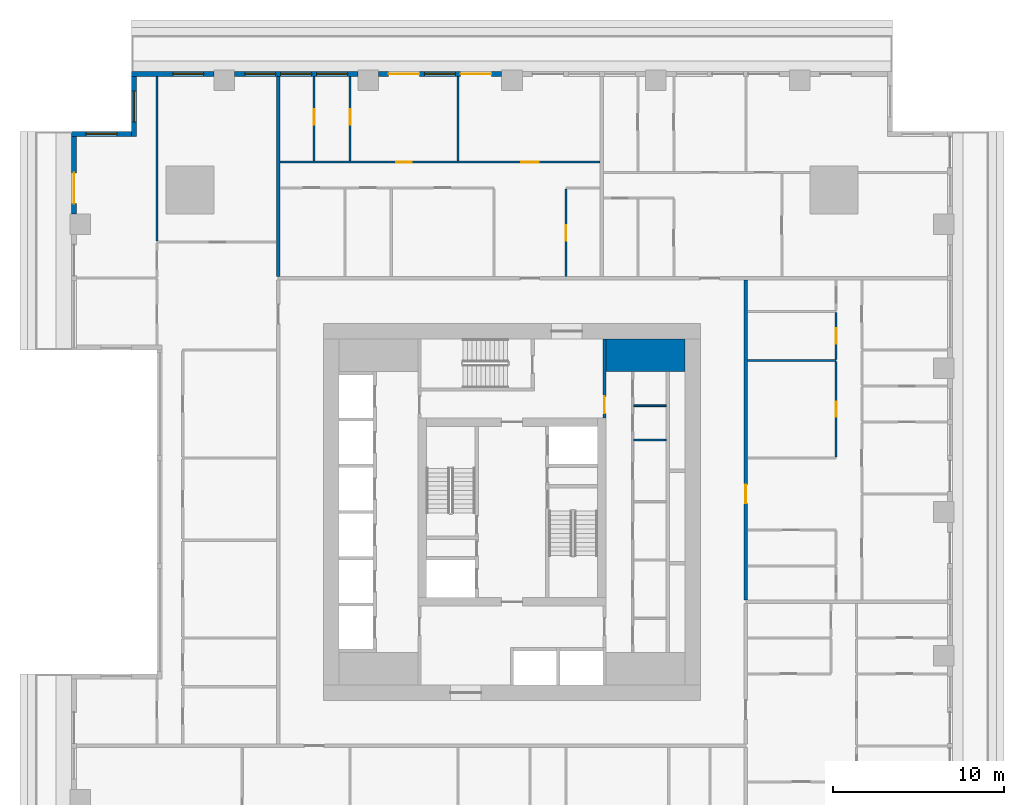
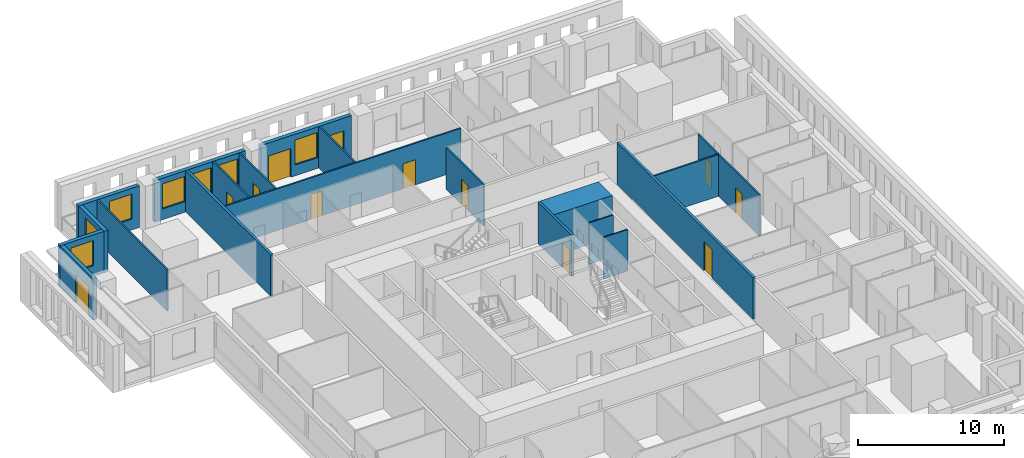
# One storey, part 7 of 14: 21 walls, 12 doors, 7 windows, 19 openings.
"""IFC4 building model written with IfcOpenShell, lengths in metres."""

from ifc_helpers import new_model, si_unit, direction, frame, frame_2d, origin, place, context, subcontext, project, spatial, rectangle, extrude, material, layer, layer_set, type_object, element, fill, save


model = new_model("IFC4")

# Units and contexts
model_context = context("Model", 3, precision=1e-05, world=origin(), true_north=direction((0.0, 1.0)))
body_context = subcontext(model_context, "Body", "Model", "MODEL_VIEW")
ifc_project = project(units=[si_unit("LENGTHUNIT", "METRE"), si_unit("AREAUNIT", "SQUARE_METRE"), si_unit("VOLUMEUNIT", "CUBIC_METRE"), si_unit("PLANEANGLEUNIT", "RADIAN"), si_unit("MASSUNIT", "GRAM", prefix="KILO")], contexts=[model_context])

# Site, building, storey
site_placement = place(None, origin())
site = spatial("IfcSite", under=ifc_project, at=site_placement, CompositionType="ELEMENT")
building_placement = place(site_placement, origin())
building = spatial("IfcBuilding", under=site, at=building_placement, Name="Khepri Terraces", CompositionType="ELEMENT")
storey_placement = place(building_placement, frame((0.0, 0.0, 106.5)))
storey = spatial("IfcBuildingStorey", under=building, at=storey_placement, Name="L25", CompositionType="ELEMENT", Elevation=106.5)

# Walls
ifc_material_1 = material(Name="Concrete C70/85", Category="concrete")
ifc_layer_1 = layer(ifc_material_1, 1.89990234375, Name="Concrete C70/85", Category="concrete")
ifc_layer_set_1 = layer_set([ifc_layer_1], Name="Concrete C70/85")
wall_type_1 = type_object("IfcWallType", Name="Core wall 1900 C70/85", PredefinedType="SHEAR", material=ifc_layer_set_1)
wall_1_placement = place(storey_placement, frame((5.5, 9.14990234375, 0.0), z_axis=(0.0, 0.0, 1.0), x_axis=(1.0, 0.0, 0.0)))
element("IfcWall", 1, at=wall_1_placement, inside=storey, type_object=wall_type_1, Name="Core wall PR04 L25", PredefinedType="SHEAR", context=body_context, shape_type="SweptSolid", body=[
    extrude(rectangle(XDim=4.60009765625, YDim=1.89990234375, at=frame_2d((2.300048828125, 0.0))), origin(), (0.0, 0.0, 1.0), 3.47998046875),
])
ifc_material_2 = material(Name="Fire-rated gypsum board partition")
ifc_layer_2 = layer(ifc_material_2, 0.10009765625, Name="Fire-rated gypsum board partition")
ifc_layer_set_2 = layer_set([ifc_layer_2], Name="Fire-rated gypsum board partition")
wall_type_2 = type_object("IfcWallType", Name="WL-CORE-PART-100", PredefinedType="PARTITIONING", material=ifc_layer_set_2)
for number, where, z_axis, x_axis, name in (
    (2, (7.10009765625, 4.199951171875, 0.0), (0.0, 0.0, 1.0), (1.0, 0.0, 0.0), "Core partition PT07 L25"),
    (3, (7.10009765625, 6.199951171875, 0.0), (0.0, 0.0, 1.0), (1.0, 0.0, 0.0), "Core partition PT10 L25"),
):
    element("IfcWall", number, at=place(storey_placement, frame(where, z_axis=z_axis, x_axis=x_axis)), inside=storey, type_object=wall_type_2, Name=name, PredefinedType="PARTITIONING", context=body_context, shape_type="SweptSolid", body=[
        extrude(rectangle(XDim=1.89990234375, YDim=0.10009765625, at=frame_2d((0.949951171875, 0.0))), origin(), (0.0, 0.0, 1.0), 3.47998046875),
    ])

# Wall, opening, door
ifc_layer_3 = layer(ifc_material_2, 0.199951171875, Name="Fire-rated gypsum board partition")
ifc_layer_set_3 = layer_set([ifc_layer_3], Name="Fire-rated gypsum board partition")
wall_type_3 = type_object("IfcWallType", Name="WL-CORE-PART-200", PredefinedType="PARTITIONING", material=ifc_layer_set_3)
wall_2_placement = place(storey_placement, frame((5.39990234375, 5.5, 0.0), z_axis=(0.0, 0.0, 1.0), x_axis=(0.0, 1.0, 0.0)))
wall_2 = element("IfcWall", 4, at=wall_2_placement, inside=storey, type_object=wall_type_3, Name="Core partition PT09 L25", PredefinedType="PARTITIONING", context=body_context, shape_type="SweptSolid", body=[
    extrude(rectangle(XDim=4.60009765625, YDim=0.199951171875, at=frame_2d((2.300048828125, 0.0))), origin(), (0.0, 0.0, 1.0), 3.47998046875),
])
opening_1_placement = place(wall_2_placement, frame((0.25, 0.0, 0.0)))
opening_1 = element("IfcOpeningElement", 5, at=opening_1_placement, cuts=wall_2, Name="Opening L25-C17", PredefinedType="OPENING", context=body_context, shape_type="SweptSolid", body=[
    extrude(rectangle(XDim=1.0, YDim=2.10009765625, at=frame_2d((0.5, 1.050048828125))), frame((0.0, 0.10986328125, 0.0), z_axis=(0.0, -1.0, 0.0), x_axis=(1.0, 0.0, 0.0)), (0.0, 0.0, 1.0), 0.219970703125),
])
ifc_material_3 = material(Name="Painted steel", Category="steel")
door_type_1 = type_object("IfcDoorType", Name="DR-CORE-LOBBY-1000", OperationType="NOTDEFINED", PredefinedType="DOOR", material=ifc_material_3)
door_1_placement = place(opening_1_placement, origin())
door_1 = element("IfcDoor", 6, at=door_1_placement, inside=storey, type_object=door_type_1, Name="Lobby door L25-C17", OperationType="SINGLE_SWING_LEFT", OverallHeight=2.10009765625, OverallWidth=1.0, PredefinedType="DOOR", context=body_context, shape_type="SweptSolid", body=[
    extrude(rectangle(XDim=1.0, YDim=2.10009765625, at=frame_2d((0.5, 1.050048828125))), frame((0.0, 0.02490234375, 0.0), z_axis=(0.0, -1.0, 0.0), x_axis=(1.0, 0.0, 0.0)), (0.0, 0.0, 1.0), 0.050048828125),
])
fill(opening_1, door_1)

ifc_material_4 = material(Name="Fire-rated gypsum plasterboard partition, mineral wool")
ifc_layer_4 = layer(ifc_material_4, 0.199951171875, Name="Fire-rated gypsum plasterboard partition, mineral wool")
ifc_layer_set_4 = layer_set([ifc_layer_4], Name="Fire-rated gypsum plasterboard partition, mineral wool")
wall_type_4 = type_object("IfcWallType", Name="WL-CORR-200", PredefinedType="PARTITIONING", material=ifc_layer_set_4)
wall_3_placement = place(storey_placement, frame((13.64990234375, -5.14990234375, 0.0), z_axis=(0.0, 0.0, 1.0), x_axis=(0.0, 1.0, 0.0)))
wall_3 = element("IfcWall", 7, at=wall_3_placement, inside=storey, type_object=wall_type_4, Name="Partition P-041 L25", PredefinedType="PARTITIONING", context=body_context, shape_type="SweptSolid", body=[
    extrude(rectangle(XDim=18.699951171875, YDim=0.199951171875, at=frame_2d((9.35009765625, 0.0))), origin(), (0.0, 0.0, 1.0), 3.47998046875),
])
opening_2_placement = place(wall_3_placement, frame((5.64990234375, 0.0, 0.0)))
opening_2 = element("IfcOpeningElement", 8, at=opening_2_placement, cuts=wall_3, Name="Opening D1", PredefinedType="OPENING", context=body_context, shape_type="SweptSolid", body=[
    extrude(rectangle(XDim=1.10009765625, YDim=2.39990234375, at=frame_2d((0.550048828125, 1.199951171875))), frame((0.0, 0.10986328125, 0.0), z_axis=(0.0, -1.0, 0.0), x_axis=(1.0, 0.0, 0.0)), (0.0, 0.0, 1.0), 0.219970703125),
])
ifc_material_5 = material(Name="Solid-core timber door leaf, flat entrance door", Category="wood")
door_type_2 = type_object("IfcDoorType", Name="DR-ENT-1100", OperationType="NOTDEFINED", PredefinedType="DOOR", material=ifc_material_5)
door_2_placement = place(opening_2_placement, frame((1.10009765625, 0.0, 0.0), z_axis=(0.0, 0.0, 1.0), x_axis=(-1.0, 0.0, 0.0)))
door_2 = element("IfcDoor", 9, at=door_2_placement, inside=storey, type_object=door_type_2, Name="Flat B2 entrance door", OperationType="SINGLE_SWING_RIGHT", OverallHeight=2.39990234375, OverallWidth=1.10009765625, PredefinedType="DOOR", context=body_context, shape_type="SweptSolid", body=[
    extrude(rectangle(XDim=1.10009765625, YDim=2.39990234375, at=frame_2d((0.550048828125, 1.199951171875))), frame((0.0, 0.02490234375, 0.0), z_axis=(0.0, -1.0, 0.0), x_axis=(1.0, 0.0, 0.0)), (0.0, 0.0, 1.0), 0.050048828125),
])
fill(opening_2, door_2)

# Wall
wall_4_placement = place(storey_placement, frame((-13.64990234375, 13.75, 0.0), z_axis=(0.0, 0.0, 1.0), x_axis=(0.0, 1.0, 0.0)))
element("IfcWall", 10, at=wall_4_placement, inside=storey, type_object=wall_type_4, Name="Partition P-070 L25", PredefinedType="PARTITIONING", context=body_context, shape_type="SweptSolid", body=[
    extrude(rectangle(XDim=11.669921875, YDim=0.199951171875, at=frame_2d((5.8349609375, 0.0))), origin(), (0.0, 0.0, 1.0), 3.47998046875),
])

# Wall, openings, doors, window
ifc_material_6 = material(Name="Precast concrete C50/60 warm stone", Category="masonry")
ifc_layer_5 = layer(ifc_material_6, 0.300048828125, Name="Precast concrete C50/60 warm stone", Category="masonry")
ifc_layer_set_5 = layer_set([ifc_layer_5], Name="Precast concrete C50/60 warm stone")
wall_type_5 = type_object("IfcWallType", Name="WL-EXT-PRECAST-300", PredefinedType="STANDARD", material=ifc_layer_set_5)
wall_5_placement = place(storey_placement, frame((-0.60009765625, 25.570068359375, 0.0), z_axis=(0.0, 0.0, 1.0), x_axis=(-1.0, 0.0, 0.0)))
wall_5 = element("IfcWall", 11, at=wall_5_placement, inside=storey, type_object=wall_type_5, Name="External wall L25 N", PredefinedType="STANDARD", context=body_context, shape_type="SweptSolid", body=[
    extrude(rectangle(XDim=7.199951171875, YDim=0.300048828125, at=frame_2d((3.60009765625, 0.0))), origin(), (0.0, 0.0, 1.0), 3.47998046875),
])
opening_3_placement = place(wall_5_placement, frame((0.60009765625, 0.0, 0.0)))
opening_3 = element("IfcOpeningElement", 12, at=opening_3_placement, cuts=wall_5, Name="Opening ED-L25-11", PredefinedType="OPENING", context=body_context, shape_type="SweptSolid", body=[
    extrude(rectangle(XDim=1.800048828125, YDim=2.39990234375, at=frame_2d((0.89990234375, 1.199951171875))), frame((0.0, 0.16015625, 0.0), z_axis=(0.0, -1.0, 0.0), x_axis=(1.0, 0.0, 0.0)), (0.0, 0.0, 1.0), 0.320068359375),
])
opening_4_placement = place(wall_5_placement, frame((2.699951171875, 0.0, 0.89990234375)))
opening_4 = element("IfcOpeningElement", 13, at=opening_4_placement, cuts=wall_5, Name="Opening W1", PredefinedType="OPENING", context=body_context, shape_type="SweptSolid", body=[
    extrude(rectangle(XDim=1.800048828125, YDim=2.10009765625, at=frame_2d((0.89990234375, 1.050048828125))), frame((0.0, 0.16015625, 0.0), z_axis=(0.0, -1.0, 0.0), x_axis=(1.0, 0.0, 0.0)), (0.0, 0.0, 1.0), 0.320068359375),
])
opening_5_placement = place(wall_5_placement, frame((4.800048828125, 0.0, 0.0)))
opening_5 = element("IfcOpeningElement", 14, at=opening_5_placement, cuts=wall_5, Name="Opening ED-L25-12", PredefinedType="OPENING", context=body_context, shape_type="SweptSolid", body=[
    extrude(rectangle(XDim=1.800048828125, YDim=2.39990234375, at=frame_2d((0.89990234375, 1.199951171875))), frame((0.0, 0.16015625, 0.0), z_axis=(0.0, -1.0, 0.0), x_axis=(1.0, 0.0, 0.0)), (0.0, 0.0, 1.0), 0.320068359375),
])
ifc_material_7 = material(Name="Anodised aluminium bronze glazed door", Category="aluminium")
door_type_3 = type_object("IfcDoorType", Name="DR-BAL-SLIDE-1800x2400", OperationType="NOTDEFINED", PredefinedType="DOOR", material=ifc_material_7)
door_3_placement = place(opening_3_placement, origin())
door_3 = element("IfcDoor", 15, at=door_3_placement, inside=storey, type_object=door_type_3, Name="Balcony door L25 N", OperationType="SLIDING_TO_LEFT", OverallHeight=2.39990234375, OverallWidth=1.800048828125, PredefinedType="DOOR", context=body_context, shape_type="SweptSolid", body=[
    extrude(rectangle(XDim=1.800048828125, YDim=2.39990234375, at=frame_2d((0.89990234375, 1.199951171875))), frame((0.0, 0.02490234375, 0.0), z_axis=(0.0, -1.0, 0.0), x_axis=(1.0, 0.0, 0.0)), (0.0, 0.0, 1.0), 0.050048828125),
])
fill(opening_3, door_3)
door_4_placement = place(opening_5_placement, origin())
door_4 = element("IfcDoor", 16, at=door_4_placement, inside=storey, type_object=door_type_3, Name="Balcony door L25 N", OperationType="SLIDING_TO_RIGHT", OverallHeight=2.39990234375, OverallWidth=1.800048828125, PredefinedType="DOOR", context=body_context, shape_type="SweptSolid", body=[
    extrude(rectangle(XDim=1.800048828125, YDim=2.39990234375, at=frame_2d((0.89990234375, 1.199951171875))), frame((0.0, 0.02490234375, 0.0), z_axis=(0.0, -1.0, 0.0), x_axis=(1.0, 0.0, 0.0)), (0.0, 0.0, 1.0), 0.050048828125),
])
fill(opening_5, door_4)
ifc_material_8 = material(Name="Clear glass", Category="glass")
window_type = type_object("IfcWindowType", Name="WIN-RES-1800x2100", PartitioningType="SINGLE_PANEL", PredefinedType="WINDOW", material=ifc_material_8)
window_1_placement = place(opening_4_placement, origin())
window_1 = element("IfcWindow", 17, at=window_1_placement, inside=storey, type_object=window_type, Name="Window L25 N", OverallHeight=2.10009765625, OverallWidth=1.800048828125, PartitioningType="SINGLE_PANEL", PredefinedType="WINDOW", context=body_context, shape_type="SweptSolid", body=[
    extrude(rectangle(XDim=1.800048828125, YDim=2.10009765625, at=frame_2d((0.89990234375, 1.050048828125))), frame((0.0, 0.030029296875, 0.0), z_axis=(0.0, -1.0, 0.0), x_axis=(1.0, 0.0, 0.0)), (0.0, 0.0, 1.0), 0.06005859375),
])
fill(opening_4, window_1)

# Wall, openings, windows
wall_6_placement = place(storey_placement, frame((-9.0, 25.570068359375, 0.0), z_axis=(0.0, 0.0, 1.0), x_axis=(-1.0, 0.0, 0.0)))
wall_6 = element("IfcWall", 18, at=wall_6_placement, inside=storey, type_object=wall_type_5, Name="External wall L25 N", PredefinedType="STANDARD", context=body_context, shape_type="SweptSolid", body=[
    extrude(rectangle(XDim=7.199951171875, YDim=0.300048828125, at=frame_2d((3.60009765625, 0.0))), origin(), (0.0, 0.0, 1.0), 3.47998046875),
])
opening_6_placement = place(wall_6_placement, frame((0.60009765625, 0.0, 0.89990234375)))
opening_6 = element("IfcOpeningElement", 19, at=opening_6_placement, cuts=wall_6, Name="Opening W1", PredefinedType="OPENING", context=body_context, shape_type="SweptSolid", body=[
    extrude(rectangle(XDim=1.800048828125, YDim=2.10009765625, at=frame_2d((0.89990234375, 1.050048828125))), frame((0.0, 0.16015625, 0.0), z_axis=(0.0, -1.0, 0.0), x_axis=(1.0, 0.0, 0.0)), (0.0, 0.0, 1.0), 0.320068359375),
])
opening_7_placement = place(wall_6_placement, frame((2.699951171875, 0.0, 0.89990234375)))
opening_7 = element("IfcOpeningElement", 20, at=opening_7_placement, cuts=wall_6, Name="Opening W1", PredefinedType="OPENING", context=body_context, shape_type="SweptSolid", body=[
    extrude(rectangle(XDim=1.800048828125, YDim=2.10009765625, at=frame_2d((0.89990234375, 1.050048828125))), frame((0.0, 0.16015625, 0.0), z_axis=(0.0, -1.0, 0.0), x_axis=(1.0, 0.0, 0.0)), (0.0, 0.0, 1.0), 0.320068359375),
])
opening_8_placement = place(wall_6_placement, frame((4.800048828125, 0.0, 0.89990234375)))
opening_8 = element("IfcOpeningElement", 21, at=opening_8_placement, cuts=wall_6, Name="Opening W1", PredefinedType="OPENING", context=body_context, shape_type="SweptSolid", body=[
    extrude(rectangle(XDim=1.800048828125, YDim=2.10009765625, at=frame_2d((0.89990234375, 1.050048828125))), frame((0.0, 0.16015625, 0.0), z_axis=(0.0, -1.0, 0.0), x_axis=(1.0, 0.0, 0.0)), (0.0, 0.0, 1.0), 0.320068359375),
])
window_2_placement = place(opening_6_placement, origin())
window_2 = element("IfcWindow", 22, at=window_2_placement, inside=storey, type_object=window_type, Name="Window L25 N", OverallHeight=2.10009765625, OverallWidth=1.800048828125, PartitioningType="SINGLE_PANEL", PredefinedType="WINDOW", context=body_context, shape_type="SweptSolid", body=[
    extrude(rectangle(XDim=1.800048828125, YDim=2.10009765625, at=frame_2d((0.89990234375, 1.050048828125))), frame((0.0, 0.030029296875, 0.0), z_axis=(0.0, -1.0, 0.0), x_axis=(1.0, 0.0, 0.0)), (0.0, 0.0, 1.0), 0.06005859375),
])
fill(opening_6, window_2)
window_3_placement = place(opening_7_placement, origin())
window_3 = element("IfcWindow", 23, at=window_3_placement, inside=storey, type_object=window_type, Name="Window L25 N", OverallHeight=2.10009765625, OverallWidth=1.800048828125, PartitioningType="SINGLE_PANEL", PredefinedType="WINDOW", context=body_context, shape_type="SweptSolid", body=[
    extrude(rectangle(XDim=1.800048828125, YDim=2.10009765625, at=frame_2d((0.89990234375, 1.050048828125))), frame((0.0, 0.030029296875, 0.0), z_axis=(0.0, -1.0, 0.0), x_axis=(1.0, 0.0, 0.0)), (0.0, 0.0, 1.0), 0.06005859375),
])
fill(opening_7, window_3)
window_4_placement = place(opening_8_placement, origin())
window_4 = element("IfcWindow", 24, at=window_4_placement, inside=storey, type_object=window_type, Name="Window L25 N", OverallHeight=2.10009765625, OverallWidth=1.800048828125, PartitioningType="SINGLE_PANEL", PredefinedType="WINDOW", context=body_context, shape_type="SweptSolid", body=[
    extrude(rectangle(XDim=1.800048828125, YDim=2.10009765625, at=frame_2d((0.89990234375, 1.050048828125))), frame((0.0, 0.030029296875, 0.0), z_axis=(0.0, -1.0, 0.0), x_axis=(1.0, 0.0, 0.0)), (0.0, 0.0, 1.0), 0.06005859375),
])
fill(opening_8, window_4)

# Wall, opening, window
wall_7_placement = place(storey_placement, frame((-17.39990234375, 25.570068359375, 0.0), z_axis=(0.0, 0.0, 1.0), x_axis=(-1.0, 0.0, 0.0)))
wall_7 = element("IfcWall", 25, at=wall_7_placement, inside=storey, type_object=wall_type_5, Name="External wall L25 N", PredefinedType="STANDARD", context=body_context, shape_type="SweptSolid", body=[
    extrude(rectangle(XDim=4.820068359375, YDim=0.300048828125, at=frame_2d((2.41015625, 0.0))), origin(), (0.0, 0.0, 1.0), 3.47998046875),
])
opening_9_placement = place(wall_7_placement, frame((0.60009765625, 0.0, 0.89990234375)))
opening_9 = element("IfcOpeningElement", 26, at=opening_9_placement, cuts=wall_7, Name="Opening W1", PredefinedType="OPENING", context=body_context, shape_type="SweptSolid", body=[
    extrude(rectangle(XDim=1.800048828125, YDim=2.10009765625, at=frame_2d((0.89990234375, 1.050048828125))), frame((0.0, 0.16015625, 0.0), z_axis=(0.0, -1.0, 0.0), x_axis=(1.0, 0.0, 0.0)), (0.0, 0.0, 1.0), 0.320068359375),
])
window_5_placement = place(opening_9_placement, origin())
window_5 = element("IfcWindow", 27, at=window_5_placement, inside=storey, type_object=window_type, Name="Window L25 N", OverallHeight=2.10009765625, OverallWidth=1.800048828125, PartitioningType="SINGLE_PANEL", PredefinedType="WINDOW", context=body_context, shape_type="SweptSolid", body=[
    extrude(rectangle(XDim=1.800048828125, YDim=2.10009765625, at=frame_2d((0.89990234375, 1.050048828125))), frame((0.0, 0.030029296875, 0.0), z_axis=(0.0, -1.0, 0.0), x_axis=(1.0, 0.0, 0.0)), (0.0, 0.0, 1.0), 0.06005859375),
])
fill(opening_9, window_5)

wall_8_placement = place(storey_placement, frame((-22.070068359375, 25.419921875, 0.0), z_axis=(0.0, 0.0, 1.0), x_axis=(0.0, -1.0, 0.0)))
wall_8 = element("IfcWall", 28, at=wall_8_placement, inside=storey, type_object=wall_type_5, Name="External wall L25 W", PredefinedType="STANDARD", context=body_context, shape_type="SweptSolid", body=[
    extrude(rectangle(XDim=3.5, YDim=0.300048828125, at=frame_2d((1.75, 0.0))), origin(), (0.0, 0.0, 1.0), 3.47998046875),
])
opening_10_placement = place(wall_8_placement, frame((0.85009765625, 0.0, 0.89990234375)))
opening_10 = element("IfcOpeningElement", 29, at=opening_10_placement, cuts=wall_8, Name="Opening W1", PredefinedType="OPENING", context=body_context, shape_type="SweptSolid", body=[
    extrude(rectangle(XDim=1.800048828125, YDim=2.10009765625, at=frame_2d((0.89990234375, 1.050048828125))), frame((0.0, 0.16015625, 0.0), z_axis=(0.0, -1.0, 0.0), x_axis=(1.0, 0.0, 0.0)), (0.0, 0.0, 1.0), 0.320068359375),
])
window_6_placement = place(opening_10_placement, origin())
window_6 = element("IfcWindow", 30, at=window_6_placement, inside=storey, type_object=window_type, Name="Window L25 W", OverallHeight=2.10009765625, OverallWidth=1.800048828125, PartitioningType="SINGLE_PANEL", PredefinedType="WINDOW", context=body_context, shape_type="SweptSolid", body=[
    extrude(rectangle(XDim=1.800048828125, YDim=2.10009765625, at=frame_2d((0.89990234375, 1.050048828125))), frame((0.0, 0.030029296875, 0.0), z_axis=(0.0, -1.0, 0.0), x_axis=(1.0, 0.0, 0.0)), (0.0, 0.0, 1.0), 0.06005859375),
])
fill(opening_10, window_6)

wall_9_placement = place(storey_placement, frame((-22.219970703125, 22.070068359375, 0.0), z_axis=(0.0, 0.0, 1.0), x_axis=(-1.0, 0.0, 0.0)))
wall_9 = element("IfcWall", 31, at=wall_9_placement, inside=storey, type_object=wall_type_5, Name="External wall L25 N", PredefinedType="STANDARD", context=body_context, shape_type="SweptSolid", body=[
    extrude(rectangle(XDim=3.5, YDim=0.300048828125, at=frame_2d((1.75, 0.0))), origin(), (0.0, 0.0, 1.0), 3.47998046875),
])
opening_11_placement = place(wall_9_placement, frame((0.85009765625, 0.0, 0.89990234375)))
opening_11 = element("IfcOpeningElement", 32, at=opening_11_placement, cuts=wall_9, Name="Opening W1", PredefinedType="OPENING", context=body_context, shape_type="SweptSolid", body=[
    extrude(rectangle(XDim=1.800048828125, YDim=2.10009765625, at=frame_2d((0.89990234375, 1.050048828125))), frame((0.0, 0.16015625, 0.0), z_axis=(0.0, -1.0, 0.0), x_axis=(1.0, 0.0, 0.0)), (0.0, 0.0, 1.0), 0.320068359375),
])
window_7_placement = place(opening_11_placement, origin())
window_7 = element("IfcWindow", 33, at=window_7_placement, inside=storey, type_object=window_type, Name="Window L25 N", OverallHeight=2.10009765625, OverallWidth=1.800048828125, PartitioningType="SINGLE_PANEL", PredefinedType="WINDOW", context=body_context, shape_type="SweptSolid", body=[
    extrude(rectangle(XDim=1.800048828125, YDim=2.10009765625, at=frame_2d((0.89990234375, 1.050048828125))), frame((0.0, 0.030029296875, 0.0), z_axis=(0.0, -1.0, 0.0), x_axis=(1.0, 0.0, 0.0)), (0.0, 0.0, 1.0), 0.06005859375),
])
fill(opening_11, window_7)

# Wall, opening, door
wall_10_placement = place(storey_placement, frame((-25.570068359375, 21.919921875, 0.0), z_axis=(0.0, 0.0, 1.0), x_axis=(0.0, -1.0, 0.0)))
wall_10 = element("IfcWall", 34, at=wall_10_placement, inside=storey, type_object=wall_type_5, Name="External wall L25 W", PredefinedType="STANDARD", context=body_context, shape_type="SweptSolid", body=[
    extrude(rectangle(XDim=4.52001953125, YDim=0.300048828125, at=frame_2d((2.260009765625, 0.0))), origin(), (0.0, 0.0, 1.0), 3.47998046875),
])
opening_12_placement = place(wall_10_placement, frame((2.1201171875, 0.0, 0.0)))
opening_12 = element("IfcOpeningElement", 35, at=opening_12_placement, cuts=wall_10, Name="Opening ED-L25-13", PredefinedType="OPENING", context=body_context, shape_type="SweptSolid", body=[
    extrude(rectangle(XDim=1.800048828125, YDim=2.39990234375, at=frame_2d((0.89990234375, 1.199951171875))), frame((0.0, 0.16015625, 0.0), z_axis=(0.0, -1.0, 0.0), x_axis=(1.0, 0.0, 0.0)), (0.0, 0.0, 1.0), 0.320068359375),
])
door_5_placement = place(opening_12_placement, origin())
door_5 = element("IfcDoor", 36, at=door_5_placement, inside=storey, type_object=door_type_3, Name="Balcony door L25 W", OperationType="SLIDING_TO_RIGHT", OverallHeight=2.39990234375, OverallWidth=1.800048828125, PredefinedType="DOOR", context=body_context, shape_type="SweptSolid", body=[
    extrude(rectangle(XDim=1.800048828125, YDim=2.39990234375, at=frame_2d((0.89990234375, 1.199951171875))), frame((0.0, 0.02490234375, 0.0), z_axis=(0.0, -1.0, 0.0), x_axis=(1.0, 0.0, 0.0)), (0.0, 0.0, 1.0), 0.050048828125),
])
fill(opening_12, door_5)

ifc_material_9 = material(Name="Gypsum plasterboard partition")
ifc_layer_6 = layer(ifc_material_9, 0.1201171875, Name="Gypsum plasterboard partition")
ifc_layer_set_6 = layer_set([ifc_layer_6], Name="Gypsum plasterboard partition")
wall_type_6 = type_object("IfcWallType", Name="WL-PART-120", PredefinedType="PARTITIONING", material=ifc_layer_set_6)
wall_11_placement = place(storey_placement, frame((18.919921875, 3.2099609375, 0.0), z_axis=(0.0, 0.0, 1.0), x_axis=(0.0, 1.0, 0.0)))
wall_11 = element("IfcWall", 37, at=wall_11_placement, inside=storey, type_object=wall_type_6, Name="Partition P-054 L25", PredefinedType="PARTITIONING", context=body_context, shape_type="SweptSolid", body=[
    extrude(rectangle(XDim=5.580078125, YDim=0.1201171875, at=frame_2d((2.7900390625, 0.0))), origin(), (0.0, 0.0, 1.0), 3.47998046875),
])
opening_13_placement = place(wall_11_placement, frame((2.340087890625, 0.0, 0.0)))
opening_13 = element("IfcOpeningElement", 38, at=opening_13_placement, cuts=wall_11, Name="Opening D3", PredefinedType="OPENING", context=body_context, shape_type="SweptSolid", body=[
    extrude(rectangle(XDim=0.89990234375, YDim=2.10009765625, at=frame_2d((0.449951171875, 1.050048828125))), frame((0.0, 0.070068359375, 0.0), z_axis=(0.0, -1.0, 0.0), x_axis=(1.0, 0.0, 0.0)), (0.0, 0.0, 1.0), 0.14013671875),
])
ifc_material_10 = material(Name="Timber door leaf", Category="wood")
door_type_4 = type_object("IfcDoorType", Name="DR-INT-900", OperationType="NOTDEFINED", PredefinedType="DOOR", material=ifc_material_10)
door_6_placement = place(opening_13_placement, origin())
door_6 = element("IfcDoor", 39, at=door_6_placement, inside=storey, type_object=door_type_4, Name="Door Kitchen", OperationType="SINGLE_SWING_RIGHT", OverallHeight=2.10009765625, OverallWidth=0.89990234375, PredefinedType="DOOR", context=body_context, shape_type="SweptSolid", body=[
    extrude(rectangle(XDim=0.89990234375, YDim=2.10009765625, at=frame_2d((0.449951171875, 1.050048828125))), frame((0.0, 0.02490234375, 0.0), z_axis=(0.0, -1.0, 0.0), x_axis=(1.0, 0.0, 0.0)), (0.0, 0.0, 1.0), 0.050048828125),
])
fill(opening_13, door_6)

# Wall
wall_12_placement = place(storey_placement, frame((13.75, 8.85009765625, 0.0), z_axis=(0.0, 0.0, 1.0), x_axis=(1.0, 0.0, 0.0)))
element("IfcWall", 40, at=wall_12_placement, inside=storey, type_object=wall_type_6, Name="Partition P-059 L25", PredefinedType="PARTITIONING", context=body_context, shape_type="SweptSolid", body=[
    extrude(rectangle(XDim=5.169921875, YDim=0.1201171875, at=frame_2d((2.5849609375, 0.0))), origin(), (0.0, 0.0, 1.0), 3.47998046875),
])

# Wall, opening, door
wall_13_placement = place(storey_placement, frame((18.919921875, 8.909912109375, 0.0), z_axis=(0.0, 0.0, 1.0), x_axis=(0.0, 1.0, 0.0)))
wall_13 = element("IfcWall", 41, at=wall_13_placement, inside=storey, type_object=wall_type_6, Name="Partition P-060 L25", PredefinedType="PARTITIONING", context=body_context, shape_type="SweptSolid", body=[
    extrude(rectangle(XDim=2.72998046875, YDim=0.1201171875, at=frame_2d((1.364990234375, 0.0))), origin(), (0.0, 0.0, 1.0), 3.47998046875),
])
opening_14_placement = place(wall_13_placement, frame((0.9150390625, 0.0, 0.0)))
opening_14 = element("IfcOpeningElement", 42, at=opening_14_placement, cuts=wall_13, Name="Opening D3", PredefinedType="OPENING", context=body_context, shape_type="SweptSolid", body=[
    extrude(rectangle(XDim=0.89990234375, YDim=2.10009765625, at=frame_2d((0.449951171875, 1.050048828125))), frame((0.0, 0.070068359375, 0.0), z_axis=(0.0, -1.0, 0.0), x_axis=(1.0, 0.0, 0.0)), (0.0, 0.0, 1.0), 0.14013671875),
])
door_7_placement = place(opening_14_placement, origin())
door_7 = element("IfcDoor", 43, at=door_7_placement, inside=storey, type_object=door_type_4, Name="Door Service Store", OperationType="SINGLE_SWING_LEFT", OverallHeight=2.10009765625, OverallWidth=0.89990234375, PredefinedType="DOOR", context=body_context, shape_type="SweptSolid", body=[
    extrude(rectangle(XDim=0.89990234375, YDim=2.10009765625, at=frame_2d((0.449951171875, 1.050048828125))), frame((0.0, 0.02490234375, 0.0), z_axis=(0.0, -1.0, 0.0), x_axis=(1.0, 0.0, 0.0)), (0.0, 0.0, 1.0), 0.050048828125),
])
fill(opening_14, door_7)

wall_14_placement = place(storey_placement, frame((3.14990234375, 13.75, 0.0), z_axis=(0.0, 0.0, 1.0), x_axis=(0.0, 1.0, 0.0)))
wall_14 = element("IfcWall", 44, at=wall_14_placement, inside=storey, type_object=wall_type_6, Name="Partition P-074 L25", PredefinedType="PARTITIONING", context=body_context, shape_type="SweptSolid", body=[
    extrude(rectangle(XDim=5.110107421875, YDim=0.1201171875, at=frame_2d((2.55517578125, 0.0))), origin(), (0.0, 0.0, 1.0), 3.47998046875),
])
opening_15_placement = place(wall_14_placement, frame((2.0849609375, 0.0, 0.0)))
opening_15 = element("IfcOpeningElement", 45, at=opening_15_placement, cuts=wall_14, Name="Opening D4", PredefinedType="OPENING", context=body_context, shape_type="SweptSolid", body=[
    extrude(rectangle(XDim=0.89990234375, YDim=2.10009765625, at=frame_2d((0.449951171875, 1.050048828125))), frame((0.0, 0.070068359375, 0.0), z_axis=(0.0, -1.0, 0.0), x_axis=(1.0, 0.0, 0.0)), (0.0, 0.0, 1.0), 0.14013671875),
])
ifc_material_11 = material(Name="Timber door leaf, moisture resistant", Category="wood")
door_type_5 = type_object("IfcDoorType", Name="DR-WET-900", OperationType="NOTDEFINED", PredefinedType="DOOR", material=ifc_material_11)
door_8_placement = place(opening_15_placement, frame((0.89990234375, 0.0, 0.0), z_axis=(0.0, 0.0, 1.0), x_axis=(-1.0, 0.0, 0.0)))
door_8 = element("IfcDoor", 46, at=door_8_placement, inside=storey, type_object=door_type_5, Name="Door Guest Bathroom", OperationType="SINGLE_SWING_RIGHT", OverallHeight=2.10009765625, OverallWidth=0.89990234375, PredefinedType="DOOR", context=body_context, shape_type="SweptSolid", body=[
    extrude(rectangle(XDim=0.89990234375, YDim=2.10009765625, at=frame_2d((0.449951171875, 1.050048828125))), frame((0.0, 0.02490234375, 0.0), z_axis=(0.0, -1.0, 0.0), x_axis=(1.0, 0.0, 0.0)), (0.0, 0.0, 1.0), 0.050048828125),
])
fill(opening_15, door_8)

# Wall
wall_15_placement = place(storey_placement, frame((-20.719970703125, 15.81005859375, 0.0), z_axis=(0.0, 0.0, 1.0), x_axis=(0.0, 1.0, 0.0)))
element("IfcWall", 47, at=wall_15_placement, inside=storey, type_object=wall_type_6, Name="Partition P-080 L25", PredefinedType="PARTITIONING", context=body_context, shape_type="SweptSolid", body=[
    extrude(rectangle(XDim=9.60986328125, YDim=0.1201171875, at=frame_2d((4.804931640625, 0.0))), origin(), (0.0, 0.0, 1.0), 3.47998046875),
])

# Wall, openings, doors
wall_16_placement = place(storey_placement, frame((-13.550048828125, 20.419921875, 0.0), z_axis=(0.0, 0.0, 1.0), x_axis=(1.0, 0.0, 0.0)))
wall_16 = element("IfcWall", 48, at=wall_16_placement, inside=storey, type_object=wall_type_6, Name="Partition P-089 L25", PredefinedType="PARTITIONING", context=body_context, shape_type="SweptSolid", body=[
    extrude(rectangle(XDim=18.699951171875, YDim=0.1201171875, at=frame_2d((9.35009765625, 0.0))), origin(), (0.0, 0.0, 1.0), 3.47998046875),
])
opening_16_placement = place(wall_16_placement, frame((14.10009765625, 0.0, 0.0)))
opening_16 = element("IfcOpeningElement", 49, at=opening_16_placement, cuts=wall_16, Name="Opening D2", PredefinedType="OPENING", context=body_context, shape_type="SweptSolid", body=[
    extrude(rectangle(XDim=1.0, YDim=2.10009765625, at=frame_2d((0.5, 1.050048828125))), frame((0.0, 0.070068359375, 0.0), z_axis=(0.0, -1.0, 0.0), x_axis=(1.0, 0.0, 0.0)), (0.0, 0.0, 1.0), 0.14013671875),
])
opening_17_placement = place(wall_16_placement, frame((6.800048828125, 0.0, 0.0)))
opening_17 = element("IfcOpeningElement", 50, at=opening_17_placement, cuts=wall_16, Name="Opening D3", PredefinedType="OPENING", context=body_context, shape_type="SweptSolid", body=[
    extrude(rectangle(XDim=0.89990234375, YDim=2.10009765625, at=frame_2d((0.449951171875, 1.050048828125))), frame((0.0, 0.070068359375, 0.0), z_axis=(0.0, -1.0, 0.0), x_axis=(1.0, 0.0, 0.0)), (0.0, 0.0, 1.0), 0.14013671875),
])
ifc_material_12 = material(Name="Timber door leaf, living room door", Category="wood")
door_type_6 = type_object("IfcDoorType", Name="DR-INT-1000", OperationType="NOTDEFINED", PredefinedType="DOOR", material=ifc_material_12)
door_9_placement = place(opening_16_placement, origin())
door_9 = element("IfcDoor", 51, at=door_9_placement, inside=storey, type_object=door_type_6, Name="Door Living Room", OperationType="SINGLE_SWING_RIGHT", OverallHeight=2.10009765625, OverallWidth=1.0, PredefinedType="DOOR", context=body_context, shape_type="SweptSolid", body=[
    extrude(rectangle(XDim=1.0, YDim=2.10009765625, at=frame_2d((0.5, 1.050048828125))), frame((0.0, 0.02490234375, 0.0), z_axis=(0.0, -1.0, 0.0), x_axis=(1.0, 0.0, 0.0)), (0.0, 0.0, 1.0), 0.050048828125),
])
fill(opening_16, door_9)
door_10_placement = place(opening_17_placement, origin())
door_10 = element("IfcDoor", 52, at=door_10_placement, inside=storey, type_object=door_type_4, Name="Door Master Bedroom", OperationType="SINGLE_SWING_LEFT", OverallHeight=2.10009765625, OverallWidth=0.89990234375, PredefinedType="DOOR", context=body_context, shape_type="SweptSolid", body=[
    extrude(rectangle(XDim=0.89990234375, YDim=2.10009765625, at=frame_2d((0.449951171875, 1.050048828125))), frame((0.0, 0.02490234375, 0.0), z_axis=(0.0, -1.0, 0.0), x_axis=(1.0, 0.0, 0.0)), (0.0, 0.0, 1.0), 0.050048828125),
])
fill(opening_17, door_10)

# Wall, opening, door
wall_17_placement = place(storey_placement, frame((-11.550048828125, 20.47998046875, 0.0), z_axis=(0.0, 0.0, 1.0), x_axis=(0.0, 1.0, 0.0)))
wall_17 = element("IfcWall", 53, at=wall_17_placement, inside=storey, type_object=wall_type_6, Name="Partition P-090 L25", PredefinedType="PARTITIONING", context=body_context, shape_type="SweptSolid", body=[
    extrude(rectangle(XDim=4.93994140625, YDim=0.1201171875, at=frame_2d((2.469970703125, 0.0))), origin(), (0.0, 0.0, 1.0), 3.47998046875),
])
opening_18_placement = place(wall_17_placement, frame((2.139892578125, 0.0, 0.0)))
opening_18 = element("IfcOpeningElement", 54, at=opening_18_placement, cuts=wall_17, Name="Opening D4", PredefinedType="OPENING", context=body_context, shape_type="SweptSolid", body=[
    extrude(rectangle(XDim=0.89990234375, YDim=2.10009765625, at=frame_2d((0.449951171875, 1.050048828125))), frame((0.0, 0.070068359375, 0.0), z_axis=(0.0, -1.0, 0.0), x_axis=(1.0, 0.0, 0.0)), (0.0, 0.0, 1.0), 0.14013671875),
])
door_11_placement = place(opening_18_placement, origin())
door_11 = element("IfcDoor", 55, at=door_11_placement, inside=storey, type_object=door_type_5, Name="Door Bathroom", OperationType="SINGLE_SWING_RIGHT", OverallHeight=2.10009765625, OverallWidth=0.89990234375, PredefinedType="DOOR", context=body_context, shape_type="SweptSolid", body=[
    extrude(rectangle(XDim=0.89990234375, YDim=2.10009765625, at=frame_2d((0.449951171875, 1.050048828125))), frame((0.0, 0.02490234375, 0.0), z_axis=(0.0, -1.0, 0.0), x_axis=(1.0, 0.0, 0.0)), (0.0, 0.0, 1.0), 0.050048828125),
])
fill(opening_18, door_11)

wall_18_placement = place(storey_placement, frame((-9.449951171875, 20.47998046875, 0.0), z_axis=(0.0, 0.0, 1.0), x_axis=(0.0, 1.0, 0.0)))
wall_18 = element("IfcWall", 56, at=wall_18_placement, inside=storey, type_object=wall_type_6, Name="Partition P-091 L25", PredefinedType="PARTITIONING", context=body_context, shape_type="SweptSolid", body=[
    extrude(rectangle(XDim=4.93994140625, YDim=0.1201171875, at=frame_2d((2.469970703125, 0.0))), origin(), (0.0, 0.0, 1.0), 3.47998046875),
])
opening_19_placement = place(wall_18_placement, frame((2.139892578125, 0.0, 0.0)))
opening_19 = element("IfcOpeningElement", 57, at=opening_19_placement, cuts=wall_18, Name="Opening D3", PredefinedType="OPENING", context=body_context, shape_type="SweptSolid", body=[
    extrude(rectangle(XDim=0.89990234375, YDim=2.10009765625, at=frame_2d((0.449951171875, 1.050048828125))), frame((0.0, 0.070068359375, 0.0), z_axis=(0.0, -1.0, 0.0), x_axis=(1.0, 0.0, 0.0)), (0.0, 0.0, 1.0), 0.14013671875),
])
door_12_placement = place(opening_19_placement, origin())
door_12 = element("IfcDoor", 58, at=door_12_placement, inside=storey, type_object=door_type_4, Name="Door Dressing Room", OperationType="SINGLE_SWING_RIGHT", OverallHeight=2.10009765625, OverallWidth=0.89990234375, PredefinedType="DOOR", context=body_context, shape_type="SweptSolid", body=[
    extrude(rectangle(XDim=0.89990234375, YDim=2.10009765625, at=frame_2d((0.449951171875, 1.050048828125))), frame((0.0, 0.02490234375, 0.0), z_axis=(0.0, -1.0, 0.0), x_axis=(1.0, 0.0, 0.0)), (0.0, 0.0, 1.0), 0.050048828125),
])
fill(opening_19, door_12)

# Wall
wall_19_placement = place(storey_placement, frame((-3.14990234375, 20.47998046875, 0.0), z_axis=(0.0, 0.0, 1.0), x_axis=(0.0, 1.0, 0.0)))
element("IfcWall", 59, at=wall_19_placement, inside=storey, type_object=wall_type_6, Name="Partition P-092 L25", PredefinedType="PARTITIONING", context=body_context, shape_type="SweptSolid", body=[
    extrude(rectangle(XDim=4.93994140625, YDim=0.1201171875, at=frame_2d((2.469970703125, 0.0))), origin(), (0.0, 0.0, 1.0), 3.47998046875),
])

save(model, "model.ifc")
